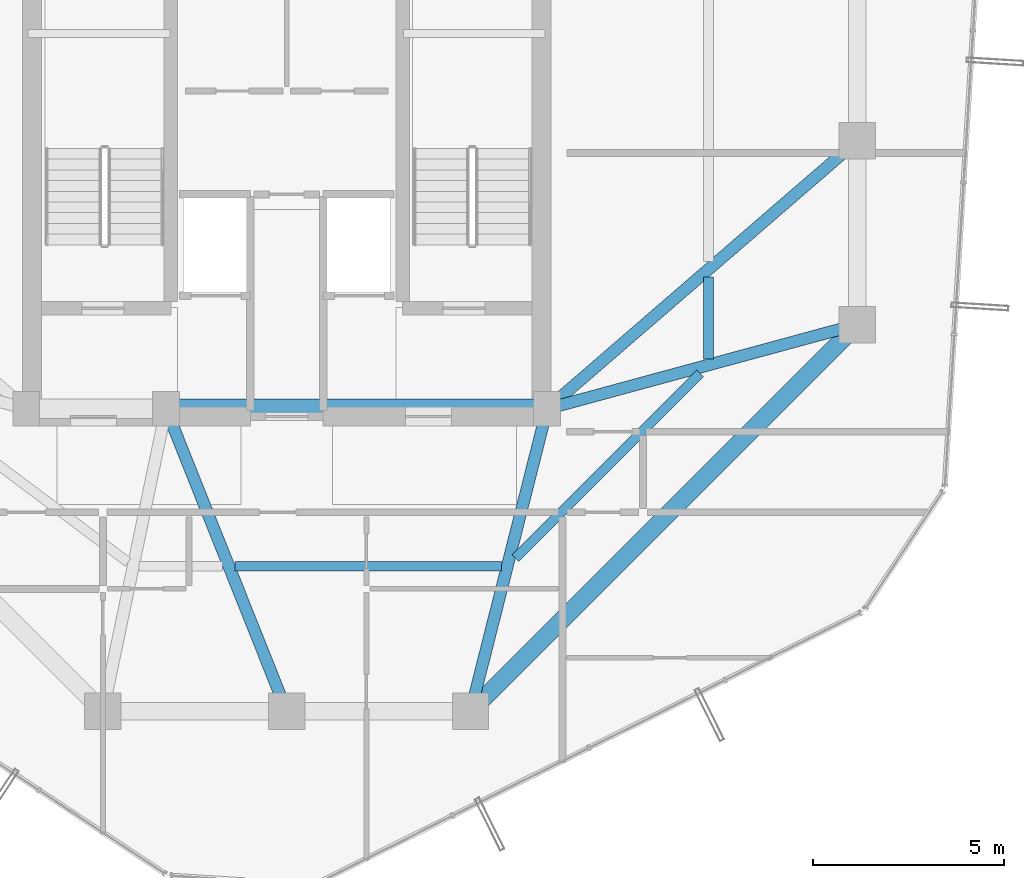
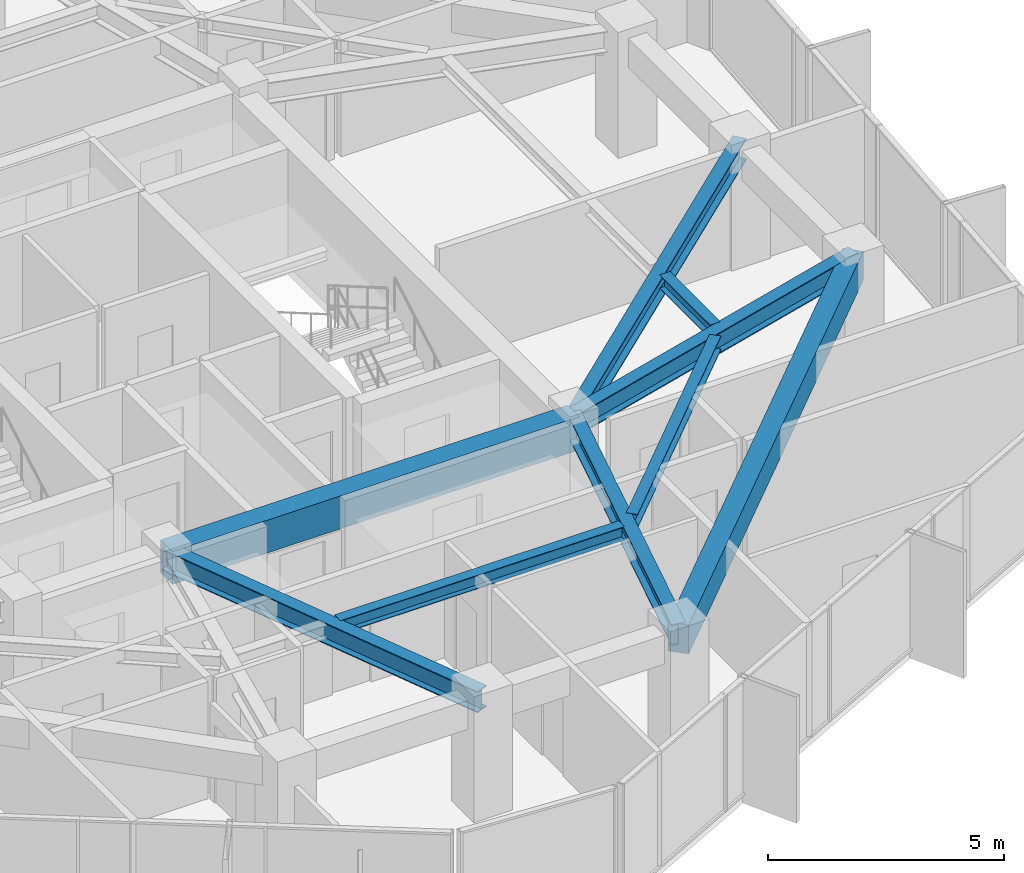
# One storey, part 9 of 29: 9 beams.
"""IFC4 building model written with IfcOpenShell, lengths in metres."""

from ifc_helpers import new_model, si_unit, direction, frame, origin, origin_2d, place, context, subcontext, project, spatial, rectangle, i_section, extrude, material, material_profile, profile_set, type_object, element, save


model = new_model("IFC4")

# Units and contexts
model_context = context("Model", 3, precision=1e-05, world=origin(), true_north=direction((0.0, 1.0)))
body_context = subcontext(model_context, "Body", "Model", "MODEL_VIEW")
ifc_project = project(units=[si_unit("LENGTHUNIT", "METRE"), si_unit("AREAUNIT", "SQUARE_METRE"), si_unit("VOLUMEUNIT", "CUBIC_METRE"), si_unit("PLANEANGLEUNIT", "RADIAN"), si_unit("MASSUNIT", "GRAM", prefix="KILO")], contexts=[model_context])

# Site, building, storey
site_placement = place(None, origin())
site = spatial("IfcSite", under=ifc_project, at=site_placement, CompositionType="ELEMENT")
building_placement = place(site_placement, origin())
building = spatial("IfcBuilding", under=site, at=building_placement, Name="Veraguas Prism Commons", CompositionType="ELEMENT")
storey_placement = place(building_placement, frame((0.0, 0.0, 218.89990234375)))
storey = spatial("IfcBuildingStorey", under=building, at=storey_placement, Name="L62", CompositionType="ELEMENT", Elevation=218.89990234375)

# Beams
ifc_material_1 = material(Name="Concrete C50/60", Category="concrete")
ifc_material_profile_1 = material_profile(ifc_material_1, rectangle(XDim=0.5, YDim=0.85009765625, at=origin_2d()), Name="RC500X850")
ifc_profile_set_1 = profile_set([ifc_material_profile_1], Name="Concrete C50/60")
beam_type_1 = type_object("IfcBeamType", Name="Core Coupling Beam RC 500x850", PredefinedType="BEAM", material=ifc_profile_set_1)
beam_1_placement = place(storey_placement, frame((20.85009765625, 17.0, 2.590087890625), z_axis=(1.0, 0.0, 0.0), x_axis=(0.0, 1.0, 0.0)))
element("IfcBeam", 1, at=beam_1_placement, inside=storey, type_object=beam_type_1, Name="Core Coupling Beam L62-CRS2", PredefinedType="BEAM", context=body_context, shape_type="SweptSolid", body=[
    extrude(rectangle(XDim=0.5, YDim=0.85009765625, at=origin_2d()), origin(), (0.0, 0.0, 1.0), 9.949951171875),
])
ifc_material_profile_2 = material_profile(ifc_material_1, rectangle(XDim=0.449951171875, YDim=0.75, at=origin_2d()), Name="RC450X750")
ifc_profile_set_2 = profile_set([ifc_material_profile_2], Name="Concrete C50/60")
beam_type_2 = type_object("IfcBeamType", Name="Perimeter Spandrel Upper RC 450x750", PredefinedType="SPANDREL", material=ifc_profile_set_2)
beam_2_placement = place(storey_placement, frame((28.800048828125, 9.10009765625, 2.64013671875), z_axis=(0.707106781187, 0.707106781187, 0.0), x_axis=(-0.707106781187, 0.707106781187, 0.0)))
element("IfcBeam", 2, at=beam_2_placement, inside=storey, type_object=beam_type_2, Name="Perimeter Spandrel Beam L62-SP12", PredefinedType="SPANDREL", context=body_context, shape_type="SweptSolid", body=[
    extrude(rectangle(XDim=0.449951171875, YDim=0.75, at=origin_2d()), origin(), (0.0, 0.0, 1.0), 14.283447265625),
])
ifc_material_2 = material(Name="Steel ASTM A992 Grade 50", Category="steel")
ifc_material_profile_3 = material_profile(ifc_material_2, i_section(OverallWidth=0.25390625, OverallDepth=0.35302734375, WebThickness=0.009521484375, FlangeThickness=0.016357421875, at=origin_2d()), Name="W360X91")
ifc_profile_set_3 = profile_set([ifc_material_profile_3], Name="Steel ASTM A992 Grade 50")
beam_type_3 = type_object("IfcBeamType", Name="Upper Floor Joist W360x91", PredefinedType="JOIST", material=ifc_profile_set_3)
beam_3_placement = place(storey_placement, frame((35.011962890625, 18.302978515625, 2.838623046875), z_axis=(0.0, 1.0, 0.0), x_axis=(-1.0, 0.0, 0.0)))
element("IfcBeam", 3, at=beam_3_placement, inside=storey, type_object=beam_type_3, Name="Composite Floor Joist L62-JS01", PredefinedType="JOIST", context=body_context, shape_type="SweptSolid", body=[
    extrude(i_section(OverallWidth=0.25390625, OverallDepth=0.35302734375, WebThickness=0.009521484375, FlangeThickness=0.016357421875, at=origin_2d()), origin(), (0.0, 0.0, 1.0), 2.134033203125),
])
beam_4_placement = place(storey_placement, frame((22.6533203125, 12.89208984375, 2.838623046875), z_axis=(1.0, 0.0, 0.0), x_axis=(0.0, 1.0, 0.0)))
element("IfcBeam", 4, at=beam_4_placement, inside=storey, type_object=beam_type_3, Name="Composite Floor Joist L62-JS11", PredefinedType="JOIST", context=body_context, shape_type="SweptSolid", body=[
    extrude(i_section(OverallWidth=0.25390625, OverallDepth=0.35302734375, WebThickness=0.009521484375, FlangeThickness=0.016357421875, at=origin_2d()), origin(), (0.0, 0.0, 1.0), 6.948486328125),
])
beam_5_placement = place(storey_placement, frame((29.971923828125, 13.10400390625, 2.838623046875), z_axis=(0.707124682851, 0.707088879069, 0.0), x_axis=(-0.707088879069, 0.707124682851, 0.0)))
element("IfcBeam", 5, at=beam_5_placement, inside=storey, type_object=beam_type_3, Name="Composite Floor Joist L62-JS12", PredefinedType="JOIST", context=body_context, shape_type="SweptSolid", body=[
    extrude(i_section(OverallWidth=0.25390625, OverallDepth=0.35302734375, WebThickness=0.009521484375, FlangeThickness=0.016357421875, at=origin_2d()), origin(), (0.0, 0.0, 1.0), 6.81884765625),
])
ifc_material_profile_4 = material_profile(ifc_material_2, i_section(OverallWidth=0.31103515625, OverallDepth=0.5458984375, WebThickness=0.0146484375, FlangeThickness=0.023681640625, at=origin_2d()), Name="W530X165")
ifc_profile_set_4 = profile_set([ifc_material_profile_4], Name="Steel ASTM A992 Grade 50")
beam_type_4 = type_object("IfcBeamType", Name="Zone 3 Radial Girder W530x165", PredefinedType="BEAM", material=ifc_profile_set_4)
beam_6_placement = place(storey_placement, frame((38.89990234375, 19.199951171875, 2.7421875), z_axis=(-0.965038506703, -0.262108146725, 0.0), x_axis=(0.262108146725, -0.965038506703, 0.0)))
element("IfcBeam", 6, at=beam_6_placement, inside=storey, type_object=beam_type_4, Name="Radial Floor Girder L62-RD01", PredefinedType="BEAM", context=body_context, shape_type="SweptSolid", body=[
    extrude(i_section(OverallWidth=0.31103515625, OverallDepth=0.5458984375, WebThickness=0.0146484375, FlangeThickness=0.023681640625, at=origin_2d()), origin(), (0.0, 0.0, 1.0), 8.393310546875),
])
beam_7_placement = place(storey_placement, frame((38.89990234375, 24.0, 2.7421875), z_axis=(-0.756607086554, -0.653869800936, 0.0), x_axis=(0.653869800936, -0.756607086554, 0.0)))
element("IfcBeam", 7, at=beam_7_placement, inside=storey, type_object=beam_type_4, Name="Radial Floor Girder L62-RD02", PredefinedType="BEAM", context=body_context, shape_type="SweptSolid", body=[
    extrude(i_section(OverallWidth=0.31103515625, OverallDepth=0.5458984375, WebThickness=0.0146484375, FlangeThickness=0.023681640625, at=origin_2d()), origin(), (0.0, 0.0, 1.0), 10.70556640625),
])
beam_8_placement = place(storey_placement, frame((24.0, 9.10009765625, 2.7421875), z_axis=(-0.370370877803, 0.928883960931, 0.0), x_axis=(-0.928883960931, -0.370370877803, 0.0)))
element("IfcBeam", 8, at=beam_8_placement, inside=storey, type_object=beam_type_4, Name="Radial Floor Girder L62-RD11", PredefinedType="BEAM", context=body_context, shape_type="SweptSolid", body=[
    extrude(i_section(OverallWidth=0.31103515625, OverallDepth=0.5458984375, WebThickness=0.0146484375, FlangeThickness=0.023681640625, at=origin_2d()), origin(), (0.0, 0.0, 1.0), 8.504638671875),
])
beam_9_placement = place(storey_placement, frame((28.800048828125, 9.10009765625, 2.7421875), z_axis=(0.245424718066, 0.969415652732, 0.0), x_axis=(-0.969415652732, 0.245424718066, 0.0)))
element("IfcBeam", 9, at=beam_9_placement, inside=storey, type_object=beam_type_4, Name="Radial Floor Girder L62-RD12", PredefinedType="BEAM", context=body_context, shape_type="SweptSolid", body=[
    extrude(i_section(OverallWidth=0.31103515625, OverallDepth=0.5458984375, WebThickness=0.0146484375, FlangeThickness=0.023681640625, at=origin_2d()), origin(), (0.0, 0.0, 1.0), 8.149169921875),
])

save(model, "model.ifc")
